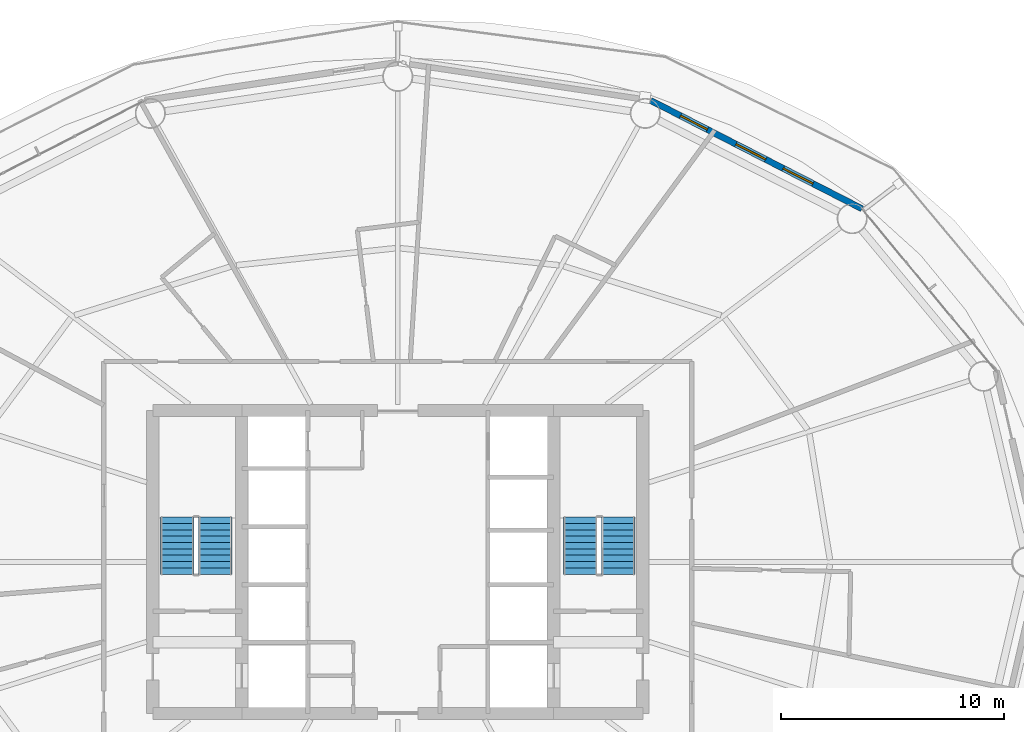
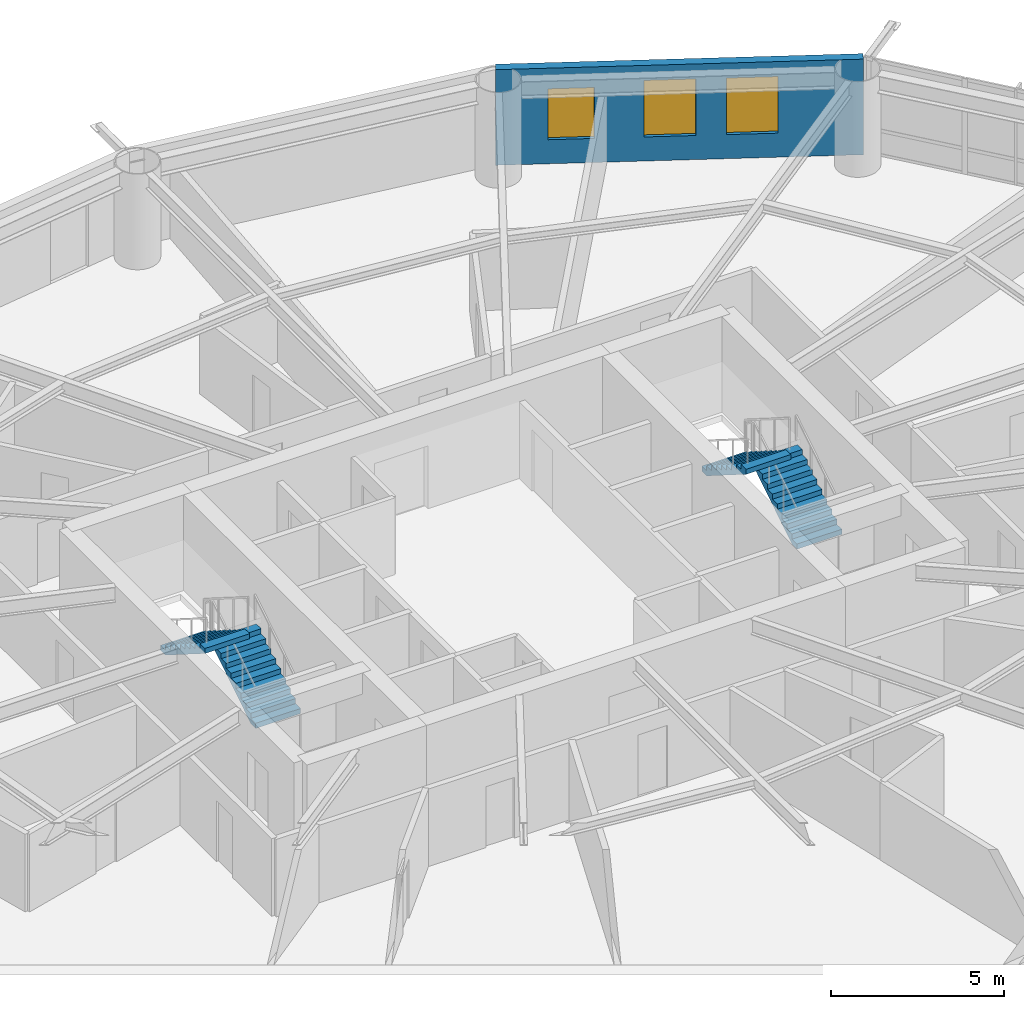
# One storey, part 21 of 24: 4 stair flights, 3 windows, 1 wall, 3 openings, 2 elements without a shape of their own.
"""IFC4 building model written with IfcOpenShell, lengths in metres."""

from ifc_helpers import new_model, si_unit, direction, frame, frame_2d, origin, place, context, subcontext, project, spatial, polyline, rectangle, outline, extrude, material, layer, layer_set, type_object, element, fill, aggregate, save


model = new_model("IFC4")

# Units and contexts
model_context = context("Model", 3, precision=1e-05, world=origin(), true_north=direction((0.0, 1.0)))
body_context = subcontext(model_context, "Body", "Model", "MODEL_VIEW")
ifc_project = project(units=[si_unit("LENGTHUNIT", "METRE"), si_unit("AREAUNIT", "SQUARE_METRE"), si_unit("VOLUMEUNIT", "CUBIC_METRE"), si_unit("PLANEANGLEUNIT", "RADIAN"), si_unit("MASSUNIT", "GRAM", prefix="KILO")], contexts=[model_context])

# Site, building, storey
site_placement = place(None, origin())
site = spatial("IfcSite", under=ifc_project, at=site_placement, CompositionType="ELEMENT")
building_placement = place(site_placement, origin())
building = spatial("IfcBuilding", under=site, at=building_placement, Name="Sarneth Arch Tower", CompositionType="ELEMENT")
storey_placement = place(building_placement, frame((0.0, 0.0, 127.199951171875)))
storey = spatial("IfcBuildingStorey", under=building, at=storey_placement, Name="L32", CompositionType="ELEMENT", Elevation=127.199951171875)

# Wall, openings, windows
ifc_material_1 = material(Name="Extruded terracotta rainscreen on Concrete C40/50 backing", Category="masonry")
ifc_layer = layer(ifc_material_1, 0.280029296875)
ifc_layer_set = layer_set([ifc_layer], Name="Extruded terracotta rainscreen on Concrete C40/50 backing")
wall_type = type_object("IfcWallType", Name="WALL-EXT-TERRA-280", PredefinedType="SOLIDWALL", material=ifc_layer_set)
wall_placement = place(storey_placement, frame((68.840087890625, 57.8603515625, 0.0), z_axis=(0.0, 0.0, 1.0), x_axis=(-0.889959505023, 0.45603955905, 0.0)))
wall = element("IfcWall", 1, at=wall_placement, inside=storey, type_object=wall_type, Name="L32 Terracotta perimeter wall 03", PredefinedType="SOLIDWALL", context=body_context, shape_type="SweptSolid", body=[
    extrude(rectangle(XDim=10.662109375, YDim=0.280029296875, at=frame_2d((5.3310546875, 0.0))), origin(), (0.0, 0.0, 1.0), 3.380126953125),
])
opening_1_placement = place(wall_placement, frame((2.47509765625, 0.0, 0.85009765625)))
opening_1 = element("IfcOpeningElement", 2, at=opening_1_placement, cuts=wall, Name="Opening W-06", PredefinedType="OPENING", context=body_context, shape_type="SweptSolid", body=[
    extrude(rectangle(XDim=1.5, YDim=2.0, at=frame_2d((0.75, 1.0))), frame((0.0, 0.14990234375, 0.0), z_axis=(0.0, -1.0, 0.0), x_axis=(1.0, 0.0, 0.0)), (0.0, 0.0, 1.0), 0.300048828125),
])
opening_2_placement = place(wall_placement, frame((4.859619140625, 0.0, 0.85009765625)))
opening_2 = element("IfcOpeningElement", 3, at=opening_2_placement, cuts=wall, Name="Opening W-06", PredefinedType="OPENING", context=body_context, shape_type="SweptSolid", body=[
    extrude(rectangle(XDim=1.5, YDim=2.0, at=frame_2d((0.75, 1.0))), frame((0.0, 0.14990234375, 0.0), z_axis=(0.0, -1.0, 0.0), x_axis=(1.0, 0.0, 0.0)), (0.0, 0.0, 1.0), 0.300048828125),
])
opening_3_placement = place(wall_placement, frame((7.802734375, 0.0, 0.85009765625)))
opening_3 = element("IfcOpeningElement", 4, at=opening_3_placement, cuts=wall, Name="Opening W-08", PredefinedType="OPENING", context=body_context, shape_type="SweptSolid", body=[
    extrude(rectangle(XDim=1.35009765625, YDim=1.800048828125, at=frame_2d((0.675048828125, 0.89990234375))), frame((0.0, 0.14990234375, 0.0), z_axis=(0.0, -1.0, 0.0), x_axis=(1.0, 0.0, 0.0)), (0.0, 0.0, 1.0), 0.300048828125),
])
ifc_material_2 = material(Name="Thermally broken Aluminium 6063-T6 and low-e laminated IGU", Category="aluminium")
window_type_1 = type_object("IfcWindowType", Name="WIN-TWR-1350x1800", PartitioningType="SINGLE_PANEL", PredefinedType="WINDOW", material=ifc_material_2)
window_1_placement = place(opening_3_placement, origin())
window_1 = element("IfcWindow", 5, at=window_1_placement, inside=storey, type_object=window_type_1, Name="L32 Exterior window 03C", OverallHeight=1.800048828125, OverallWidth=1.35009765625, PartitioningType="SINGLE_PANEL", PredefinedType="WINDOW", context=body_context, shape_type="SweptSolid", body=[
    extrude(rectangle(XDim=1.35009765625, YDim=1.800048828125, at=frame_2d((0.675048828125, 0.89990234375))), frame((0.0, 0.030029296875, 0.0), z_axis=(0.0, -1.0, 0.0), x_axis=(1.0, 0.0, 0.0)), (0.0, 0.0, 1.0), 0.06005859375),
])
fill(opening_3, window_1)
ifc_material_3 = material(Name="Thermally broken Aluminium 6063-T6 and low-e laminated IGU", Category="aluminium")
window_type_2 = type_object("IfcWindowType", Name="WIN-TWR-1500x2000", PartitioningType="SINGLE_PANEL", PredefinedType="WINDOW", material=ifc_material_3)
window_2_placement = place(opening_1_placement, origin())
window_2 = element("IfcWindow", 6, at=window_2_placement, inside=storey, type_object=window_type_2, Name="L32 Exterior window 03A", OverallHeight=2.0, OverallWidth=1.5, PartitioningType="SINGLE_PANEL", PredefinedType="WINDOW", context=body_context, shape_type="SweptSolid", body=[
    extrude(rectangle(XDim=1.5, YDim=2.0, at=frame_2d((0.75, 1.0))), frame((0.0, 0.030029296875, 0.0), z_axis=(0.0, -1.0, 0.0), x_axis=(1.0, 0.0, 0.0)), (0.0, 0.0, 1.0), 0.06005859375),
])
fill(opening_1, window_2)
window_3_placement = place(opening_2_placement, origin())
window_3 = element("IfcWindow", 7, at=window_3_placement, inside=storey, type_object=window_type_2, Name="L32 Exterior window 03B", OverallHeight=2.0, OverallWidth=1.5, PartitioningType="SINGLE_PANEL", PredefinedType="WINDOW", context=body_context, shape_type="SweptSolid", body=[
    extrude(rectangle(XDim=1.5, YDim=2.0, at=frame_2d((0.75, 1.0))), frame((0.0, 0.030029296875, 0.0), z_axis=(0.0, -1.0, 0.0), x_axis=(1.0, 0.0, 0.0)), (0.0, 0.0, 1.0), 0.06005859375),
])
fill(opening_2, window_3)

# Stair, stair flights
ifc_material_4 = material(Name="Concrete C50/60", Category="concrete")
stair_type = type_object("IfcStairType", Name="STAIR-CORE-RC", PredefinedType="HALF_TURN_STAIR", material=ifc_material_4)
stair_1_placement = place(storey_placement, origin())
stair_1 = element("IfcStair", 8, at=stair_1_placement, inside=storey, type_object=stair_type, Name="L32 Core Exit Stair 1", PredefinedType="HALF_TURN_STAIR")
ifc_material_5 = material(Name="Concrete C50/60", Category="concrete")
stair_flight_type = type_object("IfcStairFlightType", Name="FLIGHT-RC-1500", PredefinedType="STRAIGHT", material=ifc_material_5)
stair_flight_1_placement = place(storey_placement, frame((39.800048828125, 41.449951171875, 0.0), z_axis=(0.0, 0.0, 1.0), x_axis=(0.0, 1.0, 0.0)))
stair_flight_1 = element("IfcStairFlight", 9, at=stair_flight_1_placement, type_object=stair_flight_type, Name="ST-1 flight 1", NumberOfRisers=10, NumberOfTreads=9, PredefinedType="STRAIGHT", RiserHeight=0.18, TreadLength=0.285, context=body_context, shape_type="SweptSolid", body=[
    extrude(outline(polyline([(0.0, 0.0), (0.0, 0.179931640625), (0.284912109375, 0.179931640625), (0.284912109375, 0.360107421875), (0.570068359375, 0.360107421875), (0.570068359375, 0.5400390625), (0.85498046875, 0.5400390625), (0.85498046875, 0.719970703125), (1.139892578125, 0.719970703125), (1.139892578125, 0.89990234375), (1.425048828125, 0.89990234375), (1.425048828125, 1.080078125), (1.7099609375, 1.080078125), (1.7099609375, 1.260009765625), (1.9951171875, 1.260009765625), (1.9951171875, 1.43994140625), (2.280029296875, 1.43994140625), (2.280029296875, 1.6201171875), (2.56494140625, 1.6201171875), (2.56494140625, 1.800048828125), (2.56494140625, 1.442626953125), (0.28076171875, 0.0), (0.0, 0.0)])), frame((0.0, 0.75, 0.0), z_axis=(0.0, -1.0, 0.0), x_axis=(1.0, 0.0, 0.0)), (0.0, 0.0, 1.0), 1.5),
])
stair_flight_2_placement = place(storey_placement, frame((38.10009765625, 44.014892578125, 1.800048828125), z_axis=(0.0, 0.0, 1.0), x_axis=(0.0, -1.0, 0.0)))
stair_flight_2 = element("IfcStairFlight", 10, at=stair_flight_2_placement, type_object=stair_flight_type, Name="ST-1 flight 2", NumberOfRisers=10, NumberOfTreads=9, PredefinedType="STRAIGHT", RiserHeight=0.18, TreadLength=0.285, context=body_context, shape_type="SweptSolid", body=[
    extrude(outline(polyline([(0.0, 0.0), (0.0, 0.179931640625), (0.284912109375, 0.179931640625), (0.284912109375, 0.360107421875), (0.570068359375, 0.360107421875), (0.570068359375, 0.5400390625), (0.85498046875, 0.5400390625), (0.85498046875, 0.719970703125), (1.139892578125, 0.719970703125), (1.139892578125, 0.89990234375), (1.425048828125, 0.89990234375), (1.425048828125, 1.080078125), (1.7099609375, 1.080078125), (1.7099609375, 1.260009765625), (1.9951171875, 1.260009765625), (1.9951171875, 1.43994140625), (2.280029296875, 1.43994140625), (2.280029296875, 1.6201171875), (2.56494140625, 1.6201171875), (2.56494140625, 1.800048828125), (2.56494140625, 1.442626953125), (0.28076171875, 0.0), (0.0, 0.0)])), frame((0.0, 0.75, 0.0), z_axis=(0.0, -1.0, 0.0), x_axis=(1.0, 0.0, 0.0)), (0.0, 0.0, 1.0), 1.5),
])
aggregate(stair_1, [stair_flight_1, stair_flight_2])

stair_2_placement = place(storey_placement, origin())
stair_2 = element("IfcStair", 11, at=stair_2_placement, inside=storey, type_object=stair_type, Name="L32 Core Exit Stair 2", PredefinedType="HALF_TURN_STAIR")
stair_flight_3_placement = place(storey_placement, frame((57.89990234375, 41.449951171875, 0.0), z_axis=(0.0, 0.0, 1.0), x_axis=(0.0, 1.0, 0.0)))
stair_flight_3 = element("IfcStairFlight", 12, at=stair_flight_3_placement, type_object=stair_flight_type, Name="ST-2 flight 1", NumberOfRisers=10, NumberOfTreads=9, PredefinedType="STRAIGHT", RiserHeight=0.18, TreadLength=0.285, context=body_context, shape_type="SweptSolid", body=[
    extrude(outline(polyline([(0.0, 0.0), (0.0, 0.179931640625), (0.284912109375, 0.179931640625), (0.284912109375, 0.360107421875), (0.570068359375, 0.360107421875), (0.570068359375, 0.5400390625), (0.85498046875, 0.5400390625), (0.85498046875, 0.719970703125), (1.139892578125, 0.719970703125), (1.139892578125, 0.89990234375), (1.425048828125, 0.89990234375), (1.425048828125, 1.080078125), (1.7099609375, 1.080078125), (1.7099609375, 1.260009765625), (1.9951171875, 1.260009765625), (1.9951171875, 1.43994140625), (2.280029296875, 1.43994140625), (2.280029296875, 1.6201171875), (2.56494140625, 1.6201171875), (2.56494140625, 1.800048828125), (2.56494140625, 1.442626953125), (0.28076171875, 0.0), (0.0, 0.0)])), frame((0.0, 0.75, 0.0), z_axis=(0.0, -1.0, 0.0), x_axis=(1.0, 0.0, 0.0)), (0.0, 0.0, 1.0), 1.5),
])
stair_flight_4_placement = place(storey_placement, frame((56.199951171875, 44.014892578125, 1.800048828125), z_axis=(0.0, 0.0, 1.0), x_axis=(0.0, -1.0, 0.0)))
stair_flight_4 = element("IfcStairFlight", 13, at=stair_flight_4_placement, type_object=stair_flight_type, Name="ST-2 flight 2", NumberOfRisers=10, NumberOfTreads=9, PredefinedType="STRAIGHT", RiserHeight=0.18, TreadLength=0.285, context=body_context, shape_type="SweptSolid", body=[
    extrude(outline(polyline([(0.0, 0.0), (0.0, 0.179931640625), (0.284912109375, 0.179931640625), (0.284912109375, 0.360107421875), (0.570068359375, 0.360107421875), (0.570068359375, 0.5400390625), (0.85498046875, 0.5400390625), (0.85498046875, 0.719970703125), (1.139892578125, 0.719970703125), (1.139892578125, 0.89990234375), (1.425048828125, 0.89990234375), (1.425048828125, 1.080078125), (1.7099609375, 1.080078125), (1.7099609375, 1.260009765625), (1.9951171875, 1.260009765625), (1.9951171875, 1.43994140625), (2.280029296875, 1.43994140625), (2.280029296875, 1.6201171875), (2.56494140625, 1.6201171875), (2.56494140625, 1.800048828125), (2.56494140625, 1.442626953125), (0.28076171875, 0.0), (0.0, 0.0)])), frame((0.0, 0.75, 0.0), z_axis=(0.0, -1.0, 0.0), x_axis=(1.0, 0.0, 0.0)), (0.0, 0.0, 1.0), 1.5),
])
aggregate(stair_2, [stair_flight_3, stair_flight_4])

save(model, "model.ifc")
